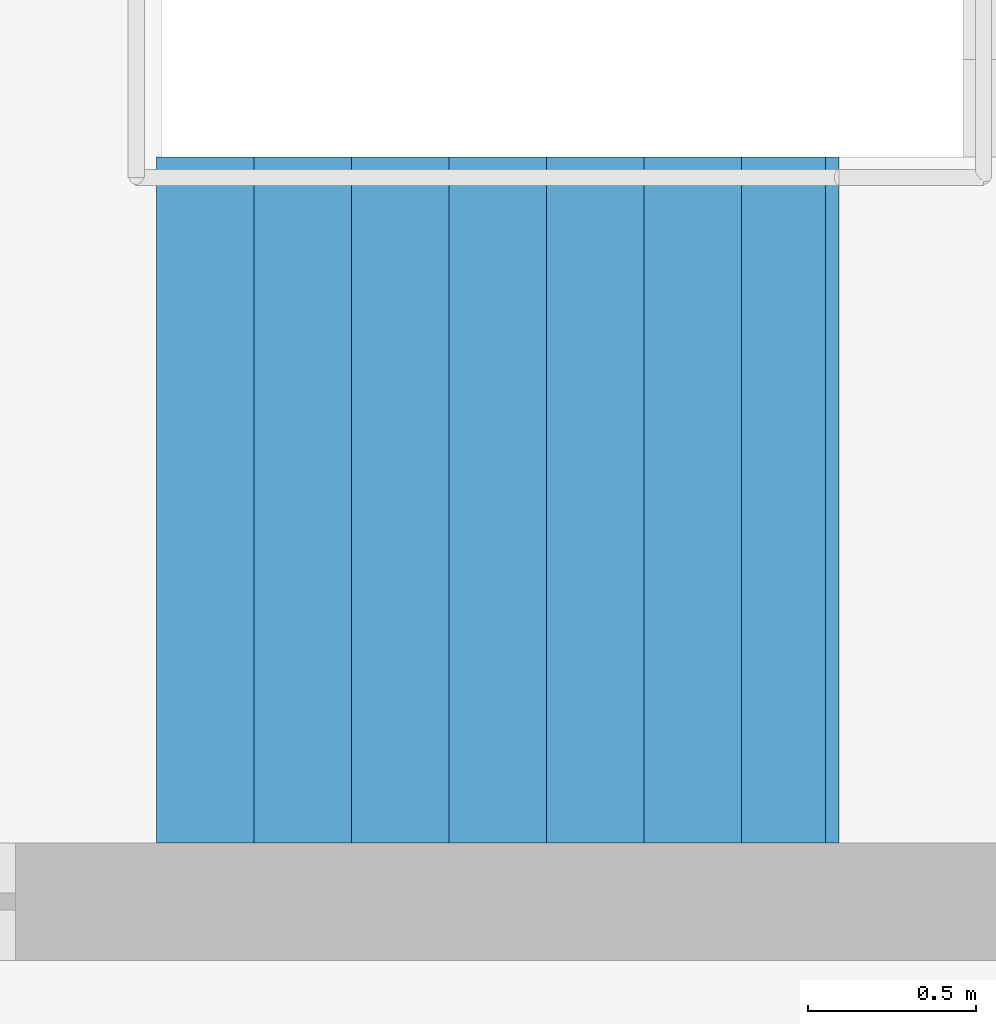
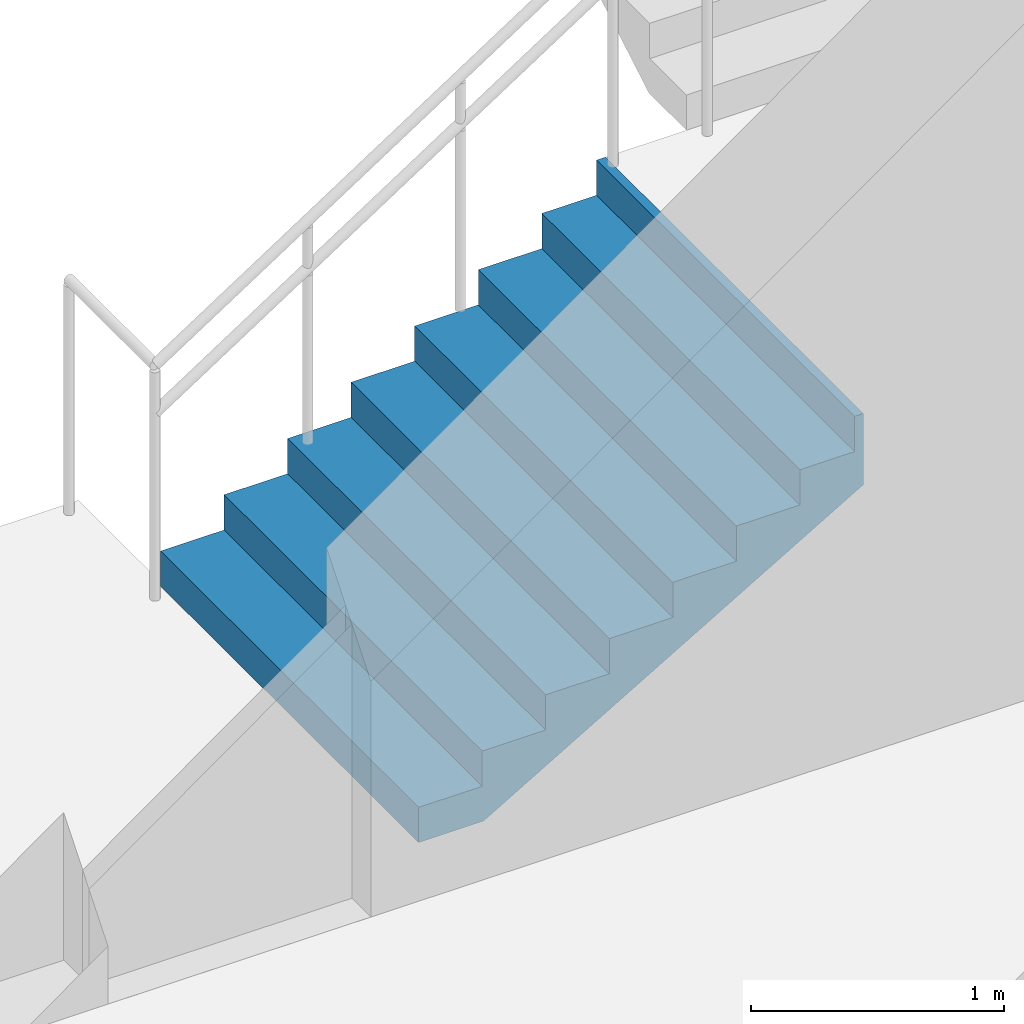
# One storey, part 52 of 58: 1 stair flight, 1 element without a shape of its own.
"""IFC4 building model written with IfcOpenShell, lengths in metres."""

from ifc_helpers import new_model, si_unit, direction, frame, origin, place, context, subcontext, project, spatial, triangles, material, type_object, element, aggregate, save


model = new_model("IFC4")

# Units and contexts
model_context = context("Model", 3, precision=1e-05, world=origin(), true_north=direction((0.0, 1.0)))
body_context = subcontext(model_context, "Body", "Model", "MODEL_VIEW")
ifc_project = project(units=[si_unit("LENGTHUNIT", "METRE"), si_unit("AREAUNIT", "SQUARE_METRE"), si_unit("VOLUMEUNIT", "CUBIC_METRE"), si_unit("PLANEANGLEUNIT", "RADIAN"), si_unit("MASSUNIT", "GRAM", prefix="KILO")], contexts=[model_context])

# Site, building, storey
site_placement = place(None, origin())
site = spatial("IfcSite", under=ifc_project, at=site_placement, CompositionType="ELEMENT")
building_placement = place(site_placement, origin())
building = spatial("IfcBuilding", under=site, at=building_placement, Name="Sillaruma Civic Art Gallery", CompositionType="ELEMENT")
storey_placement = place(building_placement, frame((0.0, 0.0, 52.02001953125)))
storey = spatial("IfcBuildingStorey", under=building, at=storey_placement, Name="L10", CompositionType="ELEMENT", Elevation=52.02001953125)

# Stair, stair flight
ifc_material = material(Name="Concrete H35 (35 MPa)", Category="concrete")
stair_type = type_object("IfcStairType", Name="STR-4F-30", PredefinedType="USERDEFINED", material=ifc_material)
stair_placement = place(storey_placement, origin())
stair = element("IfcStair", 1, at=stair_placement, inside=storey, type_object=stair_type, Name="Protected Exit Stair ST-02 (West Bar North) (L10)", ObjectType="THREE_RETURN_STAIR", PredefinedType="USERDEFINED")
stair_flight_type = type_object("IfcStairFlightType", Name="SFL-STR-8", PredefinedType="STRAIGHT", material=ifc_material)
stair_flight_placement = place(storey_placement, frame((64.800048828125, 81.929931640625, 0.0), z_axis=(0.0, 0.0, 1.0), x_axis=(1.0, 0.0, 0.0)))
stair_flight = element("IfcStairFlight", 2, at=stair_flight_placement, type_object=stair_flight_type, Name="ST-02 flight 1", NumberOfRisers=8, NumberOfTreads=7, PredefinedType="STRAIGHT", RiserHeight=0.17, TreadLength=0.29, context=body_context, shape_type="Tessellation", body=[
    triangles([(0.0, -1.02001953125, 0.0), (0.29, -1.02001953125, 0.0), (0.296443, -1.02001953125, 0.0), (0.58, -1.02001953125, 0.166223), (0.87, -1.02001953125, 0.336223), (1.16, -1.02001953125, 0.506223), (1.45, -1.02001953125, 0.676223), (1.74, -1.02001953125, 0.846223), (1.990029, -1.02001953125, 0.992792), (2.030029, -1.02001953125, 1.01624), (2.030029, -1.02001953125, 1.36), (1.990029, -1.02001953125, 1.36), (1.990029, -1.02001953125, 1.19), (1.74, -1.02001953125, 1.19), (1.74, -1.02001953125, 1.02), (1.45, -1.02001953125, 1.02), (1.45, -1.02001953125, 0.85), (1.16, -1.02001953125, 0.85), (1.16, -1.02001953125, 0.68), (0.87, -1.02001953125, 0.68), (0.87, -1.02001953125, 0.51), (0.58, -1.02001953125, 0.51), (0.58, -1.02001953125, 0.34), (0.296443, -1.02001953125, 0.34), (0.29, -1.02001953125, 0.34), (0.29, -1.02001953125, 0.17), (0.0, -1.02001953125, 0.17), (0.0, -0.05, 0.0), (0.29, -0.05, 0.0), (0.296443, -0.05, 0.0), (0.58, -0.05, 0.166223), (0.87, -0.05, 0.336223), (1.16, -0.05, 0.506223), (1.45, -0.05, 0.676223), (1.74, -0.05, 0.846223), (1.990029, -0.05, 0.992792), (2.030029, -0.05, 1.01624), (2.030029, -0.05, 1.36), (1.990029, -0.05, 1.36), (1.990029, -0.05, 1.19), (1.74, -0.05, 1.19), (1.74, -0.05, 1.02), (1.45, -0.05, 1.02), (1.45, -0.05, 0.85), (1.16, -0.05, 0.85), (1.16, -0.05, 0.68), (0.87, -0.05, 0.68), (0.87, -0.05, 0.51), (0.58, -0.05, 0.51), (0.58, -0.05, 0.34), (0.296443, -0.05, 0.34), (0.29, -0.05, 0.34), (0.29, -0.05, 0.17), (0.0, -0.05, 0.17), (0.0, -0.0375, 0.0), (0.29, -0.0375, 0.0), (0.296443, -0.0375, 0.0), (0.58, -0.0375, 0.166223), (0.87, -0.0375, 0.336223), (1.16, -0.0375, 0.506223), (1.45, -0.0375, 0.676223), (1.74, -0.0375, 0.846223), (1.990029, -0.0375, 0.992792), (2.030029, -0.0375, 1.01624), (2.030029, -0.0375, 1.36), (1.990029, -0.0375, 1.36), (1.990029, -0.0375, 1.19), (1.74, -0.0375, 1.19), (1.74, -0.0375, 1.02), (1.45, -0.0375, 1.02), (1.45, -0.0375, 0.85), (1.16, -0.0375, 0.85), (1.16, -0.0375, 0.68), (0.87, -0.0375, 0.68), (0.87, -0.0375, 0.51), (0.58, -0.0375, 0.51), (0.58, -0.0375, 0.34), (0.296443, -0.0375, 0.34), (0.29, -0.0375, 0.34), (0.29, -0.0375, 0.17), (0.0, -0.0375, 0.17), (0.0, -0.025, 0.0), (0.29, -0.025, 0.0), (0.296443, -0.025, 0.0), (0.58, -0.025, 0.166223), (0.87, -0.025, 0.336223), (1.16, -0.025, 0.506223), (1.45, -0.025, 0.676223), (1.74, -0.025, 0.846223), (1.990029, -0.025, 0.992792), (2.030029, -0.025, 1.01624), (2.030029, -0.025, 1.36), (1.990029, -0.025, 1.36), (1.990029, -0.025, 1.19), (1.74, -0.025, 1.19), (1.74, -0.025, 1.02), (1.45, -0.025, 1.02), (1.45, -0.025, 0.85), (1.16, -0.025, 0.85), (1.16, -0.025, 0.68), (0.87, -0.025, 0.68), (0.87, -0.025, 0.51), (0.58, -0.025, 0.51), (0.58, -0.025, 0.34), (0.296443, -0.025, 0.34), (0.29, -0.025, 0.34), (0.29, -0.025, 0.17), (0.0, -0.025, 0.17), (0.0, -0.0125, 0.0), (0.29, -0.0125, 0.0), (0.296443, -0.0125, 0.0), (0.58, -0.0125, 0.166223), (0.87, -0.0125, 0.336223), (1.16, -0.0125, 0.506223), (1.45, -0.0125, 0.676223), (1.74, -0.0125, 0.846223), (1.990029, -0.0125, 0.992792), (2.030029, -0.0125, 1.01624), (2.030029, -0.0125, 1.36), (1.990029, -0.0125, 1.36), (1.990029, -0.0125, 1.19), (1.74, -0.0125, 1.19), (1.74, -0.0125, 1.02), (1.45, -0.0125, 1.02), (1.45, -0.0125, 0.85), (1.16, -0.0125, 0.85), (1.16, -0.0125, 0.68), (0.87, -0.0125, 0.68), (0.87, -0.0125, 0.51), (0.58, -0.0125, 0.51), (0.58, -0.0125, 0.34), (0.296443, -0.0125, 0.34), (0.29, -0.0125, 0.34), (0.29, -0.0125, 0.17), (0.0, -0.0125, 0.17), (0.0, 0.0, 0.0), (0.29, 0.0, 0.0), (0.296443, 0.0, 0.0), (0.58, 0.0, 0.166223), (0.87, 0.0, 0.336223), (1.16, 0.0, 0.506223), (1.45, 0.0, 0.676223), (1.74, 0.0, 0.846223), (1.990029, 0.0, 0.992792), (2.030029, 0.0, 1.01624), (2.030029, 0.0, 1.36), (1.990029, 0.0, 1.36), (1.990029, 0.0, 1.19), (1.74, 0.0, 1.19), (1.74, 0.0, 1.02), (1.45, 0.0, 1.02), (1.45, 0.0, 0.85), (1.16, 0.0, 0.85), (1.16, 0.0, 0.68), (0.87, 0.0, 0.68), (0.87, 0.0, 0.51), (0.58, 0.0, 0.51), (0.58, 0.0, 0.34), (0.296443, 0.0, 0.34), (0.29, 0.0, 0.34), (0.29, 0.0, 0.17), (0.0, 0.0, 0.17), (0.0, 0.0125, 0.0), (0.29, 0.0125, 0.0), (0.296443, 0.0125, 0.0), (0.58, 0.0125, 0.166223), (0.87, 0.0125, 0.336223), (1.16, 0.0125, 0.506223), (1.45, 0.0125, 0.676223), (1.74, 0.0125, 0.846223), (1.990029, 0.0125, 0.992792), (2.030029, 0.0125, 1.01624), (2.030029, 0.0125, 1.36), (1.990029, 0.0125, 1.36), (1.990029, 0.0125, 1.19), (1.74, 0.0125, 1.19), (1.74, 0.0125, 1.02), (1.45, 0.0125, 1.02), (1.45, 0.0125, 0.85), (1.16, 0.0125, 0.85), (1.16, 0.0125, 0.68), (0.87, 0.0125, 0.68), (0.87, 0.0125, 0.51), (0.58, 0.0125, 0.51), (0.58, 0.0125, 0.34), (0.296443, 0.0125, 0.34), (0.29, 0.0125, 0.34), (0.29, 0.0125, 0.17), (0.0, 0.0125, 0.17), (0.0, 0.025, 0.0), (0.29, 0.025, 0.0), (0.296443, 0.025, 0.0), (0.58, 0.025, 0.166223), (0.87, 0.025, 0.336223), (1.16, 0.025, 0.506223), (1.45, 0.025, 0.676223), (1.74, 0.025, 0.846223), (1.990029, 0.025, 0.992792), (2.030029, 0.025, 1.01624), (2.030029, 0.025, 1.36), (1.990029, 0.025, 1.36), (1.990029, 0.025, 1.19), (1.74, 0.025, 1.19), (1.74, 0.025, 1.02), (1.45, 0.025, 1.02), (1.45, 0.025, 0.85), (1.16, 0.025, 0.85), (1.16, 0.025, 0.68), (0.87, 0.025, 0.68), (0.87, 0.025, 0.51), (0.58, 0.025, 0.51), (0.58, 0.025, 0.34), (0.296443, 0.025, 0.34), (0.29, 0.025, 0.34), (0.29, 0.025, 0.17), (0.0, 0.025, 0.17), (0.0, 0.0375, 0.0), (0.29, 0.0375, 0.0), (0.296443, 0.0375, 0.0), (0.58, 0.0375, 0.166223), (0.87, 0.0375, 0.336223), (1.16, 0.0375, 0.506223), (1.45, 0.0375, 0.676223), (1.74, 0.0375, 0.846223), (1.990029, 0.0375, 0.992792), (2.030029, 0.0375, 1.01624), (2.030029, 0.0375, 1.36), (1.990029, 0.0375, 1.36), (1.990029, 0.0375, 1.19), (1.74, 0.0375, 1.19), (1.74, 0.0375, 1.02), (1.45, 0.0375, 1.02), (1.45, 0.0375, 0.85), (1.16, 0.0375, 0.85), (1.16, 0.0375, 0.68), (0.87, 0.0375, 0.68), (0.87, 0.0375, 0.51), (0.58, 0.0375, 0.51), (0.58, 0.0375, 0.34), (0.296443, 0.0375, 0.34), (0.29, 0.0375, 0.34), (0.29, 0.0375, 0.17), (0.0, 0.0375, 0.17), (0.0, 0.05, 0.0), (0.29, 0.05, 0.0), (0.296443, 0.05, 0.0), (0.58, 0.05, 0.166223), (0.87, 0.05, 0.336223), (1.16, 0.05, 0.506223), (1.45, 0.05, 0.676223), (1.74, 0.05, 0.846223), (1.990029, 0.05, 0.992792), (2.030029, 0.05, 1.01624), (2.030029, 0.05, 1.36), (1.990029, 0.05, 1.36), (1.990029, 0.05, 1.19), (1.74, 0.05, 1.19), (1.74, 0.05, 1.02), (1.45, 0.05, 1.02), (1.45, 0.05, 0.85), (1.16, 0.05, 0.85), (1.16, 0.05, 0.68), (0.87, 0.05, 0.68), (0.87, 0.05, 0.51), (0.58, 0.05, 0.51), (0.58, 0.05, 0.34), (0.296443, 0.05, 0.34), (0.29, 0.05, 0.34), (0.29, 0.05, 0.17), (0.0, 0.05, 0.17), (0.0, 1.02001953125, 0.0), (0.29, 1.02001953125, 0.0), (0.296443, 1.02001953125, 0.0), (0.58, 1.02001953125, 0.166223), (0.87, 1.02001953125, 0.336223), (1.16, 1.02001953125, 0.506223), (1.45, 1.02001953125, 0.676223), (1.74, 1.02001953125, 0.846223), (1.990029, 1.02001953125, 0.992792), (2.030029, 1.02001953125, 1.01624), (2.030029, 1.02001953125, 1.36), (1.990029, 1.02001953125, 1.36), (1.990029, 1.02001953125, 1.19), (1.74, 1.02001953125, 1.19), (1.74, 1.02001953125, 1.02), (1.45, 1.02001953125, 1.02), (1.45, 1.02001953125, 0.85), (1.16, 1.02001953125, 0.85), (1.16, 1.02001953125, 0.68), (0.87, 1.02001953125, 0.68), (0.87, 1.02001953125, 0.51), (0.58, 1.02001953125, 0.51), (0.58, 1.02001953125, 0.34), (0.296443, 1.02001953125, 0.34), (0.29, 1.02001953125, 0.34), (0.29, 1.02001953125, 0.17), (0.0, 1.02001953125, 0.17)], [[1, 2, 26], [1, 26, 27], [2, 3, 24], [2, 24, 26], [26, 24, 25], [3, 4, 23], [3, 23, 24], [4, 5, 21], [4, 21, 23], [23, 21, 22], [5, 6, 19], [5, 19, 21], [21, 19, 20], [6, 7, 17], [6, 17, 19], [19, 17, 18], [7, 8, 15], [7, 15, 17], [17, 15, 16], [8, 9, 13], [8, 13, 15], [15, 13, 14], [9, 10, 11], [9, 11, 13], [13, 11, 12], [296, 272, 271], [297, 296, 271], [294, 273, 272], [296, 294, 272], [295, 294, 296], [293, 274, 273], [294, 293, 273], [291, 275, 274], [293, 291, 274], [292, 291, 293], [289, 276, 275], [291, 289, 275], [290, 289, 291], [287, 277, 276], [289, 287, 276], [288, 287, 289], [285, 278, 277], [287, 285, 277], [286, 285, 287], [283, 279, 278], [285, 283, 278], [284, 283, 285], [281, 280, 279], [283, 281, 279], [282, 281, 283], [2, 1, 28], [2, 28, 29], [3, 2, 29], [3, 29, 30], [4, 3, 30], [4, 30, 31], [5, 4, 31], [5, 31, 32], [6, 5, 32], [6, 32, 33], [7, 6, 33], [7, 33, 34], [8, 7, 34], [8, 34, 35], [9, 8, 35], [9, 35, 36], [10, 9, 36], [10, 36, 37], [11, 10, 37], [11, 37, 38], [12, 11, 38], [12, 38, 39], [13, 12, 39], [13, 39, 40], [14, 13, 40], [14, 40, 41], [15, 14, 41], [15, 41, 42], [16, 15, 42], [16, 42, 43], [17, 16, 43], [17, 43, 44], [18, 17, 44], [18, 44, 45], [19, 18, 45], [19, 45, 46], [20, 19, 46], [20, 46, 47], [21, 20, 47], [21, 47, 48], [22, 21, 48], [22, 48, 49], [23, 22, 49], [23, 49, 50], [24, 23, 50], [24, 50, 51], [25, 24, 51], [25, 51, 52], [26, 25, 52], [26, 52, 53], [27, 26, 53], [27, 53, 54], [1, 27, 54], [1, 54, 28], [29, 28, 55], [29, 55, 56], [30, 29, 56], [30, 56, 57], [31, 30, 57], [31, 57, 58], [32, 31, 58], [32, 58, 59], [33, 32, 59], [33, 59, 60], [34, 33, 60], [34, 60, 61], [35, 34, 61], [35, 61, 62], [36, 35, 62], [36, 62, 63], [37, 36, 63], [37, 63, 64], [38, 37, 64], [38, 64, 65], [39, 38, 65], [39, 65, 66], [40, 39, 66], [40, 66, 67], [41, 40, 67], [41, 67, 68], [42, 41, 68], [42, 68, 69], [43, 42, 69], [43, 69, 70], [44, 43, 70], [44, 70, 71], [45, 44, 71], [45, 71, 72], [46, 45, 72], [46, 72, 73], [47, 46, 73], [47, 73, 74], [48, 47, 74], [48, 74, 75], [49, 48, 75], [49, 75, 76], [50, 49, 76], [50, 76, 77], [51, 50, 77], [51, 77, 78], [52, 51, 78], [52, 78, 79], [53, 52, 79], [53, 79, 80], [54, 53, 80], [54, 80, 81], [28, 54, 81], [28, 81, 55], [56, 55, 82], [56, 82, 83], [57, 56, 83], [57, 83, 84], [58, 57, 84], [58, 84, 85], [59, 58, 85], [59, 85, 86], [60, 59, 86], [60, 86, 87], [61, 60, 87], [61, 87, 88], [62, 61, 88], [62, 88, 89], [63, 62, 89], [63, 89, 90], [64, 63, 90], [64, 90, 91], [65, 64, 91], [65, 91, 92], [66, 65, 92], [66, 92, 93], [67, 66, 93], [67, 93, 94], [68, 67, 94], [68, 94, 95], [69, 68, 95], [69, 95, 96], [70, 69, 96], [70, 96, 97], [71, 70, 97], [71, 97, 98], [72, 71, 98], [72, 98, 99], [73, 72, 99], [73, 99, 100], [74, 73, 100], [74, 100, 101], [75, 74, 101], [75, 101, 102], [76, 75, 102], [76, 102, 103], [77, 76, 103], [77, 103, 104], [78, 77, 104], [78, 104, 105], [79, 78, 105], [79, 105, 106], [80, 79, 106], [80, 106, 107], [81, 80, 107], [81, 107, 108], [55, 81, 108], [55, 108, 82], [83, 82, 109], [83, 109, 110], [84, 83, 110], [84, 110, 111], [85, 84, 111], [85, 111, 112], [86, 85, 112], [86, 112, 113], [87, 86, 113], [87, 113, 114], [88, 87, 114], [88, 114, 115], [89, 88, 115], [89, 115, 116], [90, 89, 116], [90, 116, 117], [91, 90, 117], [91, 117, 118], [92, 91, 118], [92, 118, 119], [93, 92, 119], [93, 119, 120], [94, 93, 120], [94, 120, 121], [95, 94, 121], [95, 121, 122], [96, 95, 122], [96, 122, 123], [97, 96, 123], [97, 123, 124], [98, 97, 124], [98, 124, 125], [99, 98, 125], [99, 125, 126], [100, 99, 126], [100, 126, 127], [101, 100, 127], [101, 127, 128], [102, 101, 128], [102, 128, 129], [103, 102, 129], [103, 129, 130], [104, 103, 130], [104, 130, 131], [105, 104, 131], [105, 131, 132], [106, 105, 132], [106, 132, 133], [107, 106, 133], [107, 133, 134], [108, 107, 134], [108, 134, 135], [82, 108, 135], [82, 135, 109], [110, 109, 136], [110, 136, 137], [111, 110, 137], [111, 137, 138], [112, 111, 138], [112, 138, 139], [113, 112, 139], [113, 139, 140], [114, 113, 140], [114, 140, 141], [115, 114, 141], [115, 141, 142], [116, 115, 142], [116, 142, 143], [117, 116, 143], [117, 143, 144], [118, 117, 144], [118, 144, 145], [119, 118, 145], [119, 145, 146], [120, 119, 146], [120, 146, 147], [121, 120, 147], [121, 147, 148], [122, 121, 148], [122, 148, 149], [123, 122, 149], [123, 149, 150], [124, 123, 150], [124, 150, 151], [125, 124, 151], [125, 151, 152], [126, 125, 152], [126, 152, 153], [127, 126, 153], [127, 153, 154], [128, 127, 154], [128, 154, 155], [129, 128, 155], [129, 155, 156], [130, 129, 156], [130, 156, 157], [131, 130, 157], [131, 157, 158], [132, 131, 158], [132, 158, 159], [133, 132, 159], [133, 159, 160], [134, 133, 160], [134, 160, 161], [135, 134, 161], [135, 161, 162], [109, 135, 162], [109, 162, 136], [137, 136, 163], [137, 163, 164], [138, 137, 164], [138, 164, 165], [139, 138, 165], [139, 165, 166], [140, 139, 166], [140, 166, 167], [141, 140, 167], [141, 167, 168], [142, 141, 168], [142, 168, 169], [143, 142, 169], [143, 169, 170], [144, 143, 170], [144, 170, 171], [145, 144, 171], [145, 171, 172], [146, 145, 172], [146, 172, 173], [147, 146, 173], [147, 173, 174], [148, 147, 174], [148, 174, 175], [149, 148, 175], [149, 175, 176], [150, 149, 176], [150, 176, 177], [151, 150, 177], [151, 177, 178], [152, 151, 178], [152, 178, 179], [153, 152, 179], [153, 179, 180], [154, 153, 180], [154, 180, 181], [155, 154, 181], [155, 181, 182], [156, 155, 182], [156, 182, 183], [157, 156, 183], [157, 183, 184], [158, 157, 184], [158, 184, 185], [159, 158, 185], [159, 185, 186], [160, 159, 186], [160, 186, 187], [161, 160, 187], [161, 187, 188], [162, 161, 188], [162, 188, 189], [136, 162, 189], [136, 189, 163], [164, 163, 190], [164, 190, 191], [165, 164, 191], [165, 191, 192], [166, 165, 192], [166, 192, 193], [167, 166, 193], [167, 193, 194], [168, 167, 194], [168, 194, 195], [169, 168, 195], [169, 195, 196], [170, 169, 196], [170, 196, 197], [171, 170, 197], [171, 197, 198], [172, 171, 198], [172, 198, 199], [173, 172, 199], [173, 199, 200], [174, 173, 200], [174, 200, 201], [175, 174, 201], [175, 201, 202], [176, 175, 202], [176, 202, 203], [177, 176, 203], [177, 203, 204], [178, 177, 204], [178, 204, 205], [179, 178, 205], [179, 205, 206], [180, 179, 206], [180, 206, 207], [181, 180, 207], [181, 207, 208], [182, 181, 208], [182, 208, 209], [183, 182, 209], [183, 209, 210], [184, 183, 210], [184, 210, 211], [185, 184, 211], [185, 211, 212], [186, 185, 212], [186, 212, 213], [187, 186, 213], [187, 213, 214], [188, 187, 214], [188, 214, 215], [189, 188, 215], [189, 215, 216], [163, 189, 216], [163, 216, 190], [191, 190, 217], [191, 217, 218], [192, 191, 218], [192, 218, 219], [193, 192, 219], [193, 219, 220], [194, 193, 220], [194, 220, 221], [195, 194, 221], [195, 221, 222], [196, 195, 222], [196, 222, 223], [197, 196, 223], [197, 223, 224], [198, 197, 224], [198, 224, 225], [199, 198, 225], [199, 225, 226], [200, 199, 226], [200, 226, 227], [201, 200, 227], [201, 227, 228], [202, 201, 228], [202, 228, 229], [203, 202, 229], [203, 229, 230], [204, 203, 230], [204, 230, 231], [205, 204, 231], [205, 231, 232], [206, 205, 232], [206, 232, 233], [207, 206, 233], [207, 233, 234], [208, 207, 234], [208, 234, 235], [209, 208, 235], [209, 235, 236], [210, 209, 236], [210, 236, 237], [211, 210, 237], [211, 237, 238], [212, 211, 238], [212, 238, 239], [213, 212, 239], [213, 239, 240], [214, 213, 240], [214, 240, 241], [215, 214, 241], [215, 241, 242], [216, 215, 242], [216, 242, 243], [190, 216, 243], [190, 243, 217], [218, 217, 244], [218, 244, 245], [219, 218, 245], [219, 245, 246], [220, 219, 246], [220, 246, 247], [221, 220, 247], [221, 247, 248], [222, 221, 248], [222, 248, 249], [223, 222, 249], [223, 249, 250], [224, 223, 250], [224, 250, 251], [225, 224, 251], [225, 251, 252], [226, 225, 252], [226, 252, 253], [227, 226, 253], [227, 253, 254], [228, 227, 254], [228, 254, 255], [229, 228, 255], [229, 255, 256], [230, 229, 256], [230, 256, 257], [231, 230, 257], [231, 257, 258], [232, 231, 258], [232, 258, 259], [233, 232, 259], [233, 259, 260], [234, 233, 260], [234, 260, 261], [235, 234, 261], [235, 261, 262], [236, 235, 262], [236, 262, 263], [237, 236, 263], [237, 263, 264], [238, 237, 264], [238, 264, 265], [239, 238, 265], [239, 265, 266], [240, 239, 266], [240, 266, 267], [241, 240, 267], [241, 267, 268], [242, 241, 268], [242, 268, 269], [243, 242, 269], [243, 269, 270], [217, 243, 270], [217, 270, 244], [245, 244, 271], [245, 271, 272], [246, 245, 272], [246, 272, 273], [247, 246, 273], [247, 273, 274], [248, 247, 274], [248, 274, 275], [249, 248, 275], [249, 275, 276], [250, 249, 276], [250, 276, 277], [251, 250, 277], [251, 277, 278], [252, 251, 278], [252, 278, 279], [253, 252, 279], [253, 279, 280], [254, 253, 280], [254, 280, 281], [255, 254, 281], [255, 281, 282], [256, 255, 282], [256, 282, 283], [257, 256, 283], [257, 283, 284], [258, 257, 284], [258, 284, 285], [259, 258, 285], [259, 285, 286], [260, 259, 286], [260, 286, 287], [261, 260, 287], [261, 287, 288], [262, 261, 288], [262, 288, 289], [263, 262, 289], [263, 289, 290], [264, 263, 290], [264, 290, 291], [265, 264, 291], [265, 291, 292], [266, 265, 292], [266, 292, 293], [267, 266, 293], [267, 293, 294], [268, 267, 294], [268, 294, 295], [269, 268, 295], [269, 295, 296], [270, 269, 296], [270, 296, 297], [244, 270, 297], [244, 297, 271]], closed=True),
])
aggregate(stair, [stair_flight])

save(model, "model.ifc")
